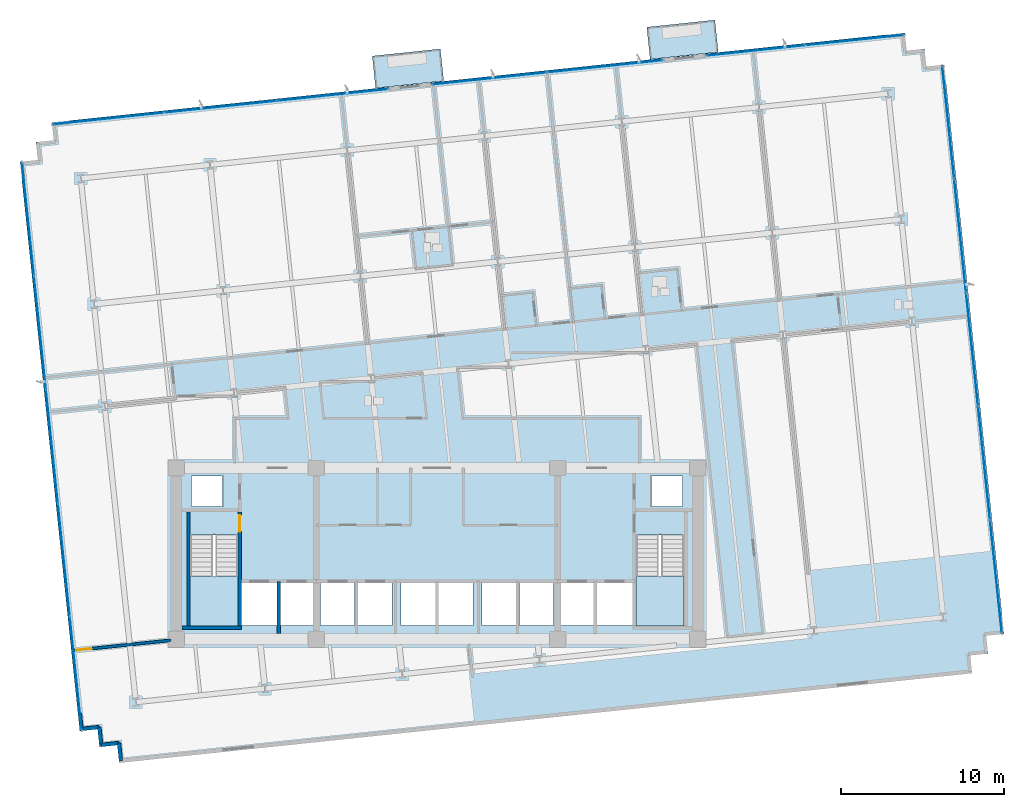
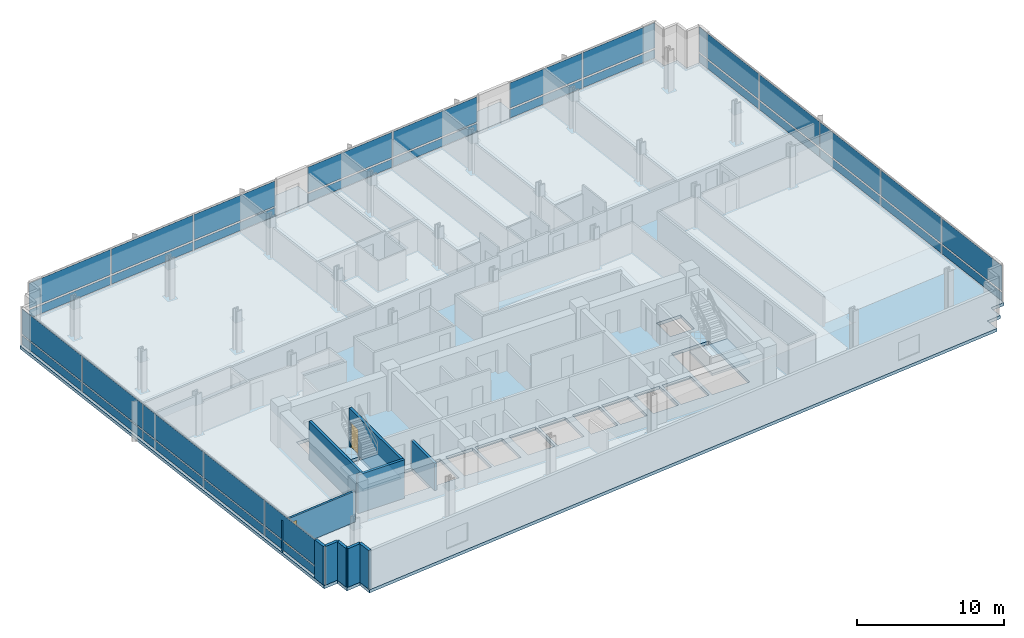
# One storey, part 9 of 17: 34 plates, 10 walls, 5 slabs, 2 doors, 2 openings, 7 elements without a shape of their own.
"""IFC4 building model written with IfcOpenShell, lengths in metres."""

from ifc_helpers import new_model, si_unit, direction, frame, frame_2d, origin, origin_2d, place, context, subcontext, project, spatial, polyline, rectangle, outline, extrude, material, layer, layer_set, type_object, element, fill, aggregate, save


model = new_model("IFC4")

# Units and contexts
model_context = context("Model", 3, precision=1e-05, world=origin(), true_north=direction((0.0, 1.0)))
body_context = subcontext(model_context, "Body", "Model", "MODEL_VIEW")
ifc_project = project(units=[si_unit("LENGTHUNIT", "METRE"), si_unit("AREAUNIT", "SQUARE_METRE"), si_unit("VOLUMEUNIT", "CUBIC_METRE"), si_unit("PLANEANGLEUNIT", "RADIAN"), si_unit("MASSUNIT", "GRAM", prefix="KILO")], contexts=[model_context])

# Site, building, storey
site_placement = place(None, origin())
site = spatial("IfcSite", under=ifc_project, at=site_placement, CompositionType="ELEMENT")
building_placement = place(site_placement, origin())
building = spatial("IfcBuilding", under=site, at=building_placement, Name="Solmavex Isthmus Hotel", CompositionType="ELEMENT")
storey_placement = place(building_placement, frame((0.0, 0.0, 93.89990234375)))
storey = spatial("IfcBuildingStorey", under=building, at=storey_placement, Name="L25", CompositionType="ELEMENT", Elevation=93.89990234375)

# Curtain wall, plates
ifc_material_1 = material(Name="Aluminium alloy 6063-T6", Category="aluminium")
curtain_wall_type = type_object("IfcCurtainWallType", Name="CW-SYS-03", PredefinedType="NOTDEFINED", material=ifc_material_1)
curtain_wall_1_placement = place(storey_placement, origin())
curtain_wall_1 = element("IfcCurtainWall", 1, at=curtain_wall_1_placement, inside=storey, type_object=curtain_wall_type, Name="Stick Curtain Wall CWL-L25-N1", PredefinedType="NOTDEFINED")
ifc_material_2 = material(Name="Clear low-E laminated glass", Category="glass")
ifc_layer_1 = layer(ifc_material_2, 0.030029296875)
ifc_layer_set_1 = layer_set([ifc_layer_1], Name="Clear low-E laminated glass")
plate_type = type_object("IfcPlateType", Name="CW-SYS-03-PNL", PredefinedType="CURTAIN_PANEL", material=ifc_layer_set_1)
plate_1_placement = place(storey_placement, frame((-20.148193359375, 18.93701171875, 0.14013671875), z_axis=(0.0, 0.0, 1.0), x_axis=(0.994521910366, 0.10452832057, 0.0)))
plate_1 = element("IfcPlate", 2, at=plate_1_placement, type_object=plate_type, Name="CW-03 panel 1.1", PredefinedType="CURTAIN_PANEL", context=body_context, shape_type="SweptSolid", body=[
    extrude(rectangle(XDim=6.8173828125, YDim=0.030029296875, at=origin_2d()), origin(), (0.0, 0.0, 1.0), 0.68994140625),
])
plate_2_placement = place(storey_placement, frame((-20.148193359375, 18.93701171875, 0.969970703125), z_axis=(0.0, 0.0, 1.0), x_axis=(0.994521910366, 0.10452832057, 0.0)))
plate_2 = element("IfcPlate", 3, at=plate_2_placement, type_object=plate_type, Name="CW-03 panel 1.2", PredefinedType="CURTAIN_PANEL", context=body_context, shape_type="SweptSolid", body=[
    extrude(rectangle(XDim=6.8173828125, YDim=0.030029296875, at=origin_2d()), origin(), (0.0, 0.0, 1.0), 2.080078125),
])
plate_3_placement = place(storey_placement, frame((-13.28125, 19.65869140625, 0.14013671875), z_axis=(0.0, 0.0, 1.0), x_axis=(0.994521910366, 0.10452832057, 0.0)))
plate_3 = element("IfcPlate", 4, at=plate_3_placement, type_object=plate_type, Name="CW-03 panel 2.1", PredefinedType="CURTAIN_PANEL", context=body_context, shape_type="SweptSolid", body=[
    extrude(rectangle(XDim=6.852294921875, YDim=0.030029296875, at=origin_2d()), origin(), (0.0, 0.0, 1.0), 0.68994140625),
])
plate_4_placement = place(storey_placement, frame((-13.28125, 19.65869140625, 0.969970703125), z_axis=(0.0, 0.0, 1.0), x_axis=(0.994521910366, 0.10452832057, 0.0)))
plate_4 = element("IfcPlate", 5, at=plate_4_placement, type_object=plate_type, Name="CW-03 panel 2.2", PredefinedType="CURTAIN_PANEL", context=body_context, shape_type="SweptSolid", body=[
    extrude(rectangle(XDim=6.852294921875, YDim=0.030029296875, at=origin_2d()), origin(), (0.0, 0.0, 1.0), 2.080078125),
])
plate_5_placement = place(storey_placement, frame((-6.414306640625, 20.38037109375, 0.14013671875), z_axis=(0.0, 0.0, 1.0), x_axis=(0.994521910366, 0.10452832057, 0.0)))
plate_5 = element("IfcPlate", 6, at=plate_5_placement, type_object=plate_type, Name="CW-03 panel 3.1", PredefinedType="CURTAIN_PANEL", context=body_context, shape_type="SweptSolid", body=[
    extrude(rectangle(XDim=6.8173828125, YDim=0.030029296875, at=origin_2d()), origin(), (0.0, 0.0, 1.0), 0.68994140625),
])
plate_6_placement = place(storey_placement, frame((-6.414306640625, 20.38037109375, 0.969970703125), z_axis=(0.0, 0.0, 1.0), x_axis=(0.994521910366, 0.10452832057, 0.0)))
plate_6 = element("IfcPlate", 7, at=plate_6_placement, type_object=plate_type, Name="CW-03 panel 3.2", PredefinedType="CURTAIN_PANEL", context=body_context, shape_type="SweptSolid", body=[
    extrude(rectangle(XDim=6.8173828125, YDim=0.030029296875, at=origin_2d()), origin(), (0.0, 0.0, 1.0), 2.080078125),
])
aggregate(curtain_wall_1, [plate_1, plate_2, plate_3, plate_4, plate_5, plate_6])

curtain_wall_2_placement = place(storey_placement, origin())
curtain_wall_2 = element("IfcCurtainWall", 8, at=curtain_wall_2_placement, inside=storey, type_object=curtain_wall_type, Name="Stick Curtain Wall CWL-L25-N2", PredefinedType="NOTDEFINED")
plate_7_placement = place(storey_placement, frame((3.2119140625, 21.392333984375, 0.14013671875), z_axis=(0.0, 0.0, 1.0), x_axis=(0.994521838546, 0.10452900389, 0.0)))
plate_7 = element("IfcPlate", 9, at=plate_7_placement, type_object=plate_type, Name="CW-03 panel 1.1", PredefinedType="CURTAIN_PANEL", context=body_context, shape_type="SweptSolid", body=[
    extrude(rectangle(XDim=7.06103515625, YDim=0.030029296875, at=origin_2d()), origin(), (0.0, 0.0, 1.0), 0.68994140625),
])
plate_8_placement = place(storey_placement, frame((3.2119140625, 21.392333984375, 0.969970703125), z_axis=(0.0, 0.0, 1.0), x_axis=(0.994521838546, 0.10452900389, 0.0)))
plate_8 = element("IfcPlate", 10, at=plate_8_placement, type_object=plate_type, Name="CW-03 panel 1.2", PredefinedType="CURTAIN_PANEL", context=body_context, shape_type="SweptSolid", body=[
    extrude(rectangle(XDim=7.06103515625, YDim=0.030029296875, at=origin_2d()), origin(), (0.0, 0.0, 1.0), 2.080078125),
])
plate_9_placement = place(storey_placement, frame((10.303955078125, 22.1376953125, 0.14013671875), z_axis=(0.0, 0.0, 1.0), x_axis=(0.994521838546, 0.10452900389, 0.0)))
plate_9 = element("IfcPlate", 11, at=plate_9_placement, type_object=plate_type, Name="CW-03 panel 2.1", PredefinedType="CURTAIN_PANEL", context=body_context, shape_type="SweptSolid", body=[
    extrude(rectangle(XDim=7.06103515625, YDim=0.030029296875, at=origin_2d()), origin(), (0.0, 0.0, 1.0), 0.68994140625),
])
plate_10_placement = place(storey_placement, frame((10.303955078125, 22.1376953125, 0.969970703125), z_axis=(0.0, 0.0, 1.0), x_axis=(0.994521838546, 0.10452900389, 0.0)))
plate_10 = element("IfcPlate", 12, at=plate_10_placement, type_object=plate_type, Name="CW-03 panel 2.2", PredefinedType="CURTAIN_PANEL", context=body_context, shape_type="SweptSolid", body=[
    extrude(rectangle(XDim=7.06103515625, YDim=0.030029296875, at=origin_2d()), origin(), (0.0, 0.0, 1.0), 2.080078125),
])
aggregate(curtain_wall_2, [plate_7, plate_8, plate_9, plate_10])

curtain_wall_3_placement = place(storey_placement, origin())
curtain_wall_3 = element("IfcCurtainWall", 13, at=curtain_wall_3_placement, inside=storey, type_object=curtain_wall_type, Name="Stick Curtain Wall CWL-L25-N3", PredefinedType="NOTDEFINED")
plate_11_placement = place(storey_placement, frame((19.546142578125, 23.109130859375, 0.14013671875), z_axis=(0.0, 0.0, 1.0), x_axis=(0.994521931062, 0.104528123665, 0.0)))
plate_11 = element("IfcPlate", 14, at=plate_11_placement, type_object=plate_type, Name="CW-03 panel 1.1", PredefinedType="CURTAIN_PANEL", context=body_context, shape_type="SweptSolid", body=[
    extrude(rectangle(XDim=6.04541015625, YDim=0.030029296875, at=origin_2d()), origin(), (0.0, 0.0, 1.0), 0.68994140625),
])
plate_12_placement = place(storey_placement, frame((19.546142578125, 23.109130859375, 0.969970703125), z_axis=(0.0, 0.0, 1.0), x_axis=(0.994521931062, 0.104528123665, 0.0)))
plate_12 = element("IfcPlate", 15, at=plate_12_placement, type_object=plate_type, Name="CW-03 panel 1.2", PredefinedType="CURTAIN_PANEL", context=body_context, shape_type="SweptSolid", body=[
    extrude(rectangle(XDim=6.04541015625, YDim=0.030029296875, at=origin_2d()), origin(), (0.0, 0.0, 1.0), 2.080078125),
])
plate_13_placement = place(storey_placement, frame((25.628173828125, 23.748291015625, 0.14013671875), z_axis=(0.0, 0.0, 1.0), x_axis=(0.994521931062, 0.104528123665, 0.0)))
plate_13 = element("IfcPlate", 16, at=plate_13_placement, type_object=plate_type, Name="CW-03 panel 2.1", PredefinedType="CURTAIN_PANEL", context=body_context, shape_type="SweptSolid", body=[
    extrude(rectangle(XDim=6.04541015625, YDim=0.030029296875, at=origin_2d()), origin(), (0.0, 0.0, 1.0), 0.68994140625),
])
plate_14_placement = place(storey_placement, frame((25.628173828125, 23.748291015625, 0.969970703125), z_axis=(0.0, 0.0, 1.0), x_axis=(0.994521931062, 0.104528123665, 0.0)))
plate_14 = element("IfcPlate", 17, at=plate_14_placement, type_object=plate_type, Name="CW-03 panel 2.2", PredefinedType="CURTAIN_PANEL", context=body_context, shape_type="SweptSolid", body=[
    extrude(rectangle(XDim=6.04541015625, YDim=0.030029296875, at=origin_2d()), origin(), (0.0, 0.0, 1.0), 2.080078125),
])
aggregate(curtain_wall_3, [plate_11, plate_12, plate_13, plate_14])

curtain_wall_4_placement = place(storey_placement, origin())
curtain_wall_4 = element("IfcCurtainWall", 18, at=curtain_wall_4_placement, inside=storey, type_object=curtain_wall_type, Name="Stick Curtain Wall CWL-L25-W1", PredefinedType="NOTDEFINED")
plate_15_placement = place(storey_placement, frame((-22.15869140625, -15.1123046875, 0.14013671875), z_axis=(0.0, 0.0, 1.0), x_axis=(-0.104528485381, 0.994521893044, 0.0)))
plate_15 = element("IfcPlate", 19, at=plate_15_placement, type_object=plate_type, Name="CW-03 panel 1.1", PredefinedType="CURTAIN_PANEL", context=body_context, shape_type="SweptSolid", body=[
    extrude(rectangle(XDim=6.9150390625, YDim=0.030029296875, at=origin_2d()), origin(), (0.0, 0.0, 1.0), 0.68994140625),
])
plate_16_placement = place(storey_placement, frame((-22.15869140625, -15.1123046875, 0.969970703125), z_axis=(0.0, 0.0, 1.0), x_axis=(-0.104528485381, 0.994521893044, 0.0)))
plate_16 = element("IfcPlate", 20, at=plate_16_placement, type_object=plate_type, Name="CW-03 panel 1.2", PredefinedType="CURTAIN_PANEL", context=body_context, shape_type="SweptSolid", body=[
    extrude(rectangle(XDim=6.9150390625, YDim=0.030029296875, at=origin_2d()), origin(), (0.0, 0.0, 1.0), 2.080078125),
])
plate_17_placement = place(storey_placement, frame((-22.890625, -8.14794921875, 0.14013671875), z_axis=(0.0, 0.0, 1.0), x_axis=(-0.104528485381, 0.994521893044, 0.0)))
plate_17 = element("IfcPlate", 21, at=plate_17_placement, type_object=plate_type, Name="CW-03 panel 2.1", PredefinedType="CURTAIN_PANEL", context=body_context, shape_type="SweptSolid", body=[
    extrude(rectangle(XDim=6.949951171875, YDim=0.030029296875, at=origin_2d()), origin(), (0.0, 0.0, 1.0), 0.68994140625),
])
plate_18_placement = place(storey_placement, frame((-22.890625, -8.14794921875, 0.969970703125), z_axis=(0.0, 0.0, 1.0), x_axis=(-0.104528485381, 0.994521893044, 0.0)))
plate_18 = element("IfcPlate", 22, at=plate_18_placement, type_object=plate_type, Name="CW-03 panel 2.2", PredefinedType="CURTAIN_PANEL", context=body_context, shape_type="SweptSolid", body=[
    extrude(rectangle(XDim=6.949951171875, YDim=0.030029296875, at=origin_2d()), origin(), (0.0, 0.0, 1.0), 2.080078125),
])
plate_19_placement = place(storey_placement, frame((-23.62451171875, -1.16650390625, 0.14013671875), z_axis=(0.0, 0.0, 1.0), x_axis=(-0.104528485381, 0.994521893044, 0.0)))
plate_19 = element("IfcPlate", 23, at=plate_19_placement, type_object=plate_type, Name="CW-03 panel 3.1", PredefinedType="CURTAIN_PANEL", context=body_context, shape_type="SweptSolid", body=[
    extrude(rectangle(XDim=6.949951171875, YDim=0.030029296875, at=origin_2d()), origin(), (0.0, 0.0, 1.0), 0.68994140625),
])
plate_20_placement = place(storey_placement, frame((-23.62451171875, -1.16650390625, 0.969970703125), z_axis=(0.0, 0.0, 1.0), x_axis=(-0.104528485381, 0.994521893044, 0.0)))
plate_20 = element("IfcPlate", 24, at=plate_20_placement, type_object=plate_type, Name="CW-03 panel 3.2", PredefinedType="CURTAIN_PANEL", context=body_context, shape_type="SweptSolid", body=[
    extrude(rectangle(XDim=6.949951171875, YDim=0.030029296875, at=origin_2d()), origin(), (0.0, 0.0, 1.0), 2.080078125),
])
plate_21_placement = place(storey_placement, frame((-24.3583984375, 5.81494140625, 0.14013671875), z_axis=(0.0, 0.0, 1.0), x_axis=(-0.104528485381, 0.994521893044, 0.0)))
plate_21 = element("IfcPlate", 25, at=plate_21_placement, type_object=plate_type, Name="CW-03 panel 4.1", PredefinedType="CURTAIN_PANEL", context=body_context, shape_type="SweptSolid", body=[
    extrude(rectangle(XDim=6.949951171875, YDim=0.030029296875, at=origin_2d()), origin(), (0.0, 0.0, 1.0), 0.68994140625),
])
plate_22_placement = place(storey_placement, frame((-24.3583984375, 5.81494140625, 0.969970703125), z_axis=(0.0, 0.0, 1.0), x_axis=(-0.104528485381, 0.994521893044, 0.0)))
plate_22 = element("IfcPlate", 26, at=plate_22_placement, type_object=plate_type, Name="CW-03 panel 4.2", PredefinedType="CURTAIN_PANEL", context=body_context, shape_type="SweptSolid", body=[
    extrude(rectangle(XDim=6.949951171875, YDim=0.030029296875, at=origin_2d()), origin(), (0.0, 0.0, 1.0), 2.080078125),
])
plate_23_placement = place(storey_placement, frame((-25.09033203125, 12.779052734375, 0.14013671875), z_axis=(0.0, 0.0, 1.0), x_axis=(-0.104528485381, 0.994521893044, 0.0)))
plate_23 = element("IfcPlate", 27, at=plate_23_placement, type_object=plate_type, Name="CW-03 panel 5.1", PredefinedType="CURTAIN_PANEL", context=body_context, shape_type="SweptSolid", body=[
    extrude(rectangle(XDim=6.9150390625, YDim=0.030029296875, at=origin_2d()), origin(), (0.0, 0.0, 1.0), 0.68994140625),
])
plate_24_placement = place(storey_placement, frame((-25.09033203125, 12.779052734375, 0.969970703125), z_axis=(0.0, 0.0, 1.0), x_axis=(-0.104528485381, 0.994521893044, 0.0)))
plate_24 = element("IfcPlate", 28, at=plate_24_placement, type_object=plate_type, Name="CW-03 panel 5.2", PredefinedType="CURTAIN_PANEL", context=body_context, shape_type="SweptSolid", body=[
    extrude(rectangle(XDim=6.9150390625, YDim=0.030029296875, at=origin_2d()), origin(), (0.0, 0.0, 1.0), 2.080078125),
])
aggregate(curtain_wall_4, [plate_15, plate_16, plate_17, plate_18, plate_19, plate_20, plate_21, plate_22, plate_23, plate_24])

curtain_wall_5_placement = place(storey_placement, origin())
curtain_wall_5 = element("IfcCurtainWall", 29, at=curtain_wall_5_placement, inside=storey, type_object=curtain_wall_type, Name="Stick Curtain Wall CWL-L25-E1", PredefinedType="NOTDEFINED")
plate_25_placement = place(storey_placement, frame((34.290283203125, -9.17919921875, 0.14013671875), z_axis=(0.0, 0.0, 1.0), x_axis=(-0.104528485381, 0.994521893044, 0.0)))
plate_25 = element("IfcPlate", 30, at=plate_25_placement, type_object=plate_type, Name="CW-03 panel 1.1", PredefinedType="CURTAIN_PANEL", context=body_context, shape_type="SweptSolid", body=[
    extrude(rectangle(XDim=6.9150390625, YDim=0.030029296875, at=origin_2d()), origin(), (0.0, 0.0, 1.0), 0.68994140625),
])
plate_26_placement = place(storey_placement, frame((34.290283203125, -9.17919921875, 0.969970703125), z_axis=(0.0, 0.0, 1.0), x_axis=(-0.104528485381, 0.994521893044, 0.0)))
plate_26 = element("IfcPlate", 31, at=plate_26_placement, type_object=plate_type, Name="CW-03 panel 1.2", PredefinedType="CURTAIN_PANEL", context=body_context, shape_type="SweptSolid", body=[
    extrude(rectangle(XDim=6.9150390625, YDim=0.030029296875, at=origin_2d()), origin(), (0.0, 0.0, 1.0), 2.080078125),
])
plate_27_placement = place(storey_placement, frame((33.558349609375, -2.215087890625, 0.14013671875), z_axis=(0.0, 0.0, 1.0), x_axis=(-0.104528485381, 0.994521893044, 0.0)))
plate_27 = element("IfcPlate", 32, at=plate_27_placement, type_object=plate_type, Name="CW-03 panel 2.1", PredefinedType="CURTAIN_PANEL", context=body_context, shape_type="SweptSolid", body=[
    extrude(rectangle(XDim=6.949951171875, YDim=0.030029296875, at=origin_2d()), origin(), (0.0, 0.0, 1.0), 0.68994140625),
])
plate_28_placement = place(storey_placement, frame((33.558349609375, -2.215087890625, 0.969970703125), z_axis=(0.0, 0.0, 1.0), x_axis=(-0.104528485381, 0.994521893044, 0.0)))
plate_28 = element("IfcPlate", 33, at=plate_28_placement, type_object=plate_type, Name="CW-03 panel 2.2", PredefinedType="CURTAIN_PANEL", context=body_context, shape_type="SweptSolid", body=[
    extrude(rectangle(XDim=6.949951171875, YDim=0.030029296875, at=origin_2d()), origin(), (0.0, 0.0, 1.0), 2.080078125),
])
plate_29_placement = place(storey_placement, frame((32.824462890625, 4.7666015625, 0.14013671875), z_axis=(0.0, 0.0, 1.0), x_axis=(-0.104528485381, 0.994521893044, 0.0)))
plate_29 = element("IfcPlate", 34, at=plate_29_placement, type_object=plate_type, Name="CW-03 panel 3.1", PredefinedType="CURTAIN_PANEL", context=body_context, shape_type="SweptSolid", body=[
    extrude(rectangle(XDim=6.949951171875, YDim=0.030029296875, at=origin_2d()), origin(), (0.0, 0.0, 1.0), 0.68994140625),
])
plate_30_placement = place(storey_placement, frame((32.824462890625, 4.7666015625, 0.969970703125), z_axis=(0.0, 0.0, 1.0), x_axis=(-0.104528485381, 0.994521893044, 0.0)))
plate_30 = element("IfcPlate", 35, at=plate_30_placement, type_object=plate_type, Name="CW-03 panel 3.2", PredefinedType="CURTAIN_PANEL", context=body_context, shape_type="SweptSolid", body=[
    extrude(rectangle(XDim=6.949951171875, YDim=0.030029296875, at=origin_2d()), origin(), (0.0, 0.0, 1.0), 2.080078125),
])
plate_31_placement = place(storey_placement, frame((32.0908203125, 11.748046875, 0.14013671875), z_axis=(0.0, 0.0, 1.0), x_axis=(-0.104528485381, 0.994521893044, 0.0)))
plate_31 = element("IfcPlate", 36, at=plate_31_placement, type_object=plate_type, Name="CW-03 panel 4.1", PredefinedType="CURTAIN_PANEL", context=body_context, shape_type="SweptSolid", body=[
    extrude(rectangle(XDim=6.949951171875, YDim=0.030029296875, at=origin_2d()), origin(), (0.0, 0.0, 1.0), 0.68994140625),
])
plate_32_placement = place(storey_placement, frame((32.0908203125, 11.748046875, 0.969970703125), z_axis=(0.0, 0.0, 1.0), x_axis=(-0.104528485381, 0.994521893044, 0.0)))
plate_32 = element("IfcPlate", 37, at=plate_32_placement, type_object=plate_type, Name="CW-03 panel 4.2", PredefinedType="CURTAIN_PANEL", context=body_context, shape_type="SweptSolid", body=[
    extrude(rectangle(XDim=6.949951171875, YDim=0.030029296875, at=origin_2d()), origin(), (0.0, 0.0, 1.0), 2.080078125),
])
plate_33_placement = place(storey_placement, frame((31.35888671875, 18.712158203125, 0.14013671875), z_axis=(0.0, 0.0, 1.0), x_axis=(-0.104528485381, 0.994521893044, 0.0)))
plate_33 = element("IfcPlate", 38, at=plate_33_placement, type_object=plate_type, Name="CW-03 panel 5.1", PredefinedType="CURTAIN_PANEL", context=body_context, shape_type="SweptSolid", body=[
    extrude(rectangle(XDim=6.9150390625, YDim=0.030029296875, at=origin_2d()), origin(), (0.0, 0.0, 1.0), 0.68994140625),
])
plate_34_placement = place(storey_placement, frame((31.35888671875, 18.712158203125, 0.969970703125), z_axis=(0.0, 0.0, 1.0), x_axis=(-0.104528485381, 0.994521893044, 0.0)))
plate_34 = element("IfcPlate", 39, at=plate_34_placement, type_object=plate_type, Name="CW-03 panel 5.2", PredefinedType="CURTAIN_PANEL", context=body_context, shape_type="SweptSolid", body=[
    extrude(rectangle(XDim=6.9150390625, YDim=0.030029296875, at=origin_2d()), origin(), (0.0, 0.0, 1.0), 2.080078125),
])
aggregate(curtain_wall_5, [plate_25, plate_26, plate_27, plate_28, plate_29, plate_30, plate_31, plate_32, plate_33, plate_34])

# Slabs
ifc_material_3 = material(Name="Concrete C40/50", Category="concrete")
ifc_layer_2 = layer(ifc_material_3, 0.239990234375)
ifc_layer_set_2 = layer_set([ifc_layer_2], Name="Concrete C40/50")
slab_type_1 = type_object("IfcSlabType", Name="SLAB-BALC-240", PredefinedType="FLOOR", material=ifc_layer_set_2)
slab_1_placement = place(storey_placement, frame((0.0, 0.0, -0.239990234375)))
element("IfcSlab", 40, at=slab_1_placement, inside=storey, type_object=slab_type_1, Name="Tree-Planter Balcony Slab L25-B1", PredefinedType="FLOOR", context=body_context, shape_type="SweptSolid", body=[
    extrude(outline(polyline([(-3.764404296875, 20.794677734375), (0.41259765625, 21.23388671875), (0.205078125, 23.2080078125), (-3.9716796875, 22.768798828125), (-3.764404296875, 20.794677734375)])), origin(), (0.0, 0.0, 1.0), 0.239990234375),
])
slab_2_placement = place(storey_placement, frame((0.0, 0.0, -0.239990234375)))
element("IfcSlab", 41, at=slab_2_placement, inside=storey, type_object=slab_type_1, Name="Tree-Planter Balcony Slab L25-B2", PredefinedType="FLOOR", context=body_context, shape_type="SweptSolid", body=[
    extrude(outline(polyline([(13.074951171875, 22.564697265625), (17.251953125, 23.003662109375), (17.04443359375, 24.977783203125), (12.867431640625, 24.538818359375), (13.074951171875, 22.564697265625)])), origin(), (0.0, 0.0, 1.0), 0.239990234375),
])
ifc_layer_3 = layer(ifc_material_3, 0.260009765625)
ifc_layer_set_3 = layer_set([ifc_layer_3], Name="Concrete C40/50")
slab_type_2 = type_object("IfcSlabType", Name="SLAB-TYP-260", PredefinedType="FLOOR", material=ifc_layer_set_3)
slab_3_placement = place(storey_placement, frame((0.0, 0.0, -0.260009765625)))
element("IfcSlab", 42, at=slab_3_placement, inside=storey, type_object=slab_type_2, Name="Tower Structural Floor Slab L25", PredefinedType="FLOOR", context=body_context, shape_type="SweptSolid", body=[
    extrude(outline(polyline([(-18.3974609375, -20.475830078125), (31.726318359375, -15.207763671875), (32.8203125, -15.0927734375), (32.705322265625, -13.998779296875), (33.79931640625, -13.8837890625), (33.684326171875, -12.789794921875), (34.7783203125, -12.6748046875), (34.663330078125, -11.580810546875), (31.224365234375, 21.138916015625), (31.109375, 22.23291015625), (30.015380859375, 22.117919921875), (29.900390625, 23.2119140625), (28.806396484375, 23.096923828125), (28.69140625, 24.19091796875), (27.597412109375, 24.075927734375), (-22.5263671875, 18.8076171875), (-23.620361328125, 18.692626953125), (-23.50537109375, 17.5986328125), (-24.599365234375, 17.483642578125), (-24.484375, 16.389892578125), (-25.578369140625, 16.27490234375), (-25.46337890625, 15.180908203125), (-22.0244140625, -17.5390625), (-21.909423828125, -18.6328125), (-20.8154296875, -18.517822265625), (-20.700439453125, -19.61181640625), (-19.6064453125, -19.496826171875), (-19.491455078125, -20.5908203125), (-18.3974609375, -20.475830078125)]), holes=[polyline([(-15.14990234375, -6.617919921875), (-15.14990234375, -12.199951171875), (-12.199951171875, -12.199951171875), (-12.199951171875, -6.617919921875), (-15.14990234375, -6.617919921875)]), polyline([(12.199951171875, -6.617919921875), (12.199951171875, -12.199951171875), (15.14990234375, -12.199951171875), (15.14990234375, -6.617919921875), (12.199951171875, -6.617919921875)]), polyline([(-12.0, -12.14990234375), (-9.800048828125, -12.14990234375), (-9.800048828125, -9.550048828125), (-12.0, -9.550048828125), (-12.0, -12.14990234375)]), polyline([(9.800048828125, -12.14990234375), (12.0, -12.14990234375), (12.0, -9.550048828125), (9.800048828125, -9.550048828125), (9.800048828125, -12.14990234375)]), polyline([(-9.60009765625, -12.14990234375), (-7.60009765625, -12.14990234375), (-7.60009765625, -9.550048828125), (-9.60009765625, -9.550048828125), (-9.60009765625, -12.14990234375)]), polyline([(7.60009765625, -12.14990234375), (9.60009765625, -12.14990234375), (9.60009765625, -9.550048828125), (7.60009765625, -9.550048828125), (7.60009765625, -12.14990234375)]), polyline([(-7.14990234375, -12.14990234375), (-5.050048828125, -12.14990234375), (-5.050048828125, -9.550048828125), (-7.14990234375, -9.550048828125), (-7.14990234375, -12.14990234375)]), polyline([(-4.85009765625, -12.14990234375), (-2.75, -12.14990234375), (-2.75, -9.550048828125), (-4.85009765625, -9.550048828125), (-4.85009765625, -12.14990234375)]), polyline([(-2.199951171875, -12.14990234375), (-0.10009765625, -12.14990234375), (-0.10009765625, -9.550048828125), (-2.199951171875, -9.550048828125), (-2.199951171875, -12.14990234375)]), polyline([(0.10009765625, -12.14990234375), (2.199951171875, -12.14990234375), (2.199951171875, -9.550048828125), (0.10009765625, -9.550048828125), (0.10009765625, -12.14990234375)]), polyline([(2.75, -12.14990234375), (4.85009765625, -12.14990234375), (4.85009765625, -9.550048828125), (2.75, -9.550048828125), (2.75, -12.14990234375)]), polyline([(5.050048828125, -12.14990234375), (7.14990234375, -12.14990234375), (7.14990234375, -9.550048828125), (5.050048828125, -9.550048828125), (5.050048828125, -12.14990234375)]), polyline([(-15.050048828125, -4.85009765625), (-13.14990234375, -4.85009765625), (-13.14990234375, -3.0), (-15.050048828125, -3.0), (-15.050048828125, -4.85009765625)]), polyline([(13.14990234375, -4.85009765625), (15.050048828125, -4.85009765625), (15.050048828125, -3.0), (13.14990234375, -3.0), (13.14990234375, -4.85009765625)])]), origin(), (0.0, 0.0, 1.0), 0.260009765625),
])

# Stair, slab
stair_type_1 = type_object("IfcStairType", Name="STR-ST-1", PredefinedType="HALF_TURN_STAIR", material=ifc_material_3)
stair_1_placement = place(storey_placement, origin())
stair_1 = element("IfcStair", 43, at=stair_1_placement, inside=storey, type_object=stair_type_1, Name="L25 Protected Exit Stair ST-1", PredefinedType="HALF_TURN_STAIR")
ifc_layer_4 = layer(ifc_material_3, 0.219970703125)
ifc_layer_set_4 = layer_set([ifc_layer_4], Name="Concrete C40/50")
slab_type_3 = type_object("IfcSlabType", Name="SLD-ST-1", PredefinedType="LANDING", material=ifc_layer_set_4)
slab_4_placement = place(storey_placement, frame((0.0, 0.0, 1.525146484375)))
slab_4 = element("IfcSlab", 44, at=slab_4_placement, type_object=slab_type_3, Name="ST-1 landing 1", PredefinedType="LANDING", context=body_context, shape_type="SweptSolid", body=[
    extrude(outline(polyline([(-15.14990234375, -9.1201171875), (-15.14990234375, -12.199951171875), (-12.199951171875, -12.199951171875), (-12.199951171875, -9.1201171875), (-15.14990234375, -9.1201171875)])), origin(), (0.0, 0.0, 1.0), 0.199951171875),
])
aggregate(stair_1, [slab_4])

stair_type_2 = type_object("IfcStairType", Name="STR-ST-2", PredefinedType="HALF_TURN_STAIR", material=ifc_material_3)
stair_2_placement = place(storey_placement, origin())
stair_2 = element("IfcStair", 45, at=stair_2_placement, inside=storey, type_object=stair_type_2, Name="L25 Protected Exit Stair ST-2", PredefinedType="HALF_TURN_STAIR")
ifc_layer_5 = layer(ifc_material_3, 0.219970703125)
ifc_layer_set_5 = layer_set([ifc_layer_5], Name="Concrete C40/50")
slab_type_4 = type_object("IfcSlabType", Name="SLD-ST-2", PredefinedType="LANDING", material=ifc_layer_set_5)
slab_5_placement = place(storey_placement, frame((0.0, 0.0, 1.525146484375)))
slab_5 = element("IfcSlab", 46, at=slab_5_placement, type_object=slab_type_4, Name="ST-2 landing 1", PredefinedType="LANDING", context=body_context, shape_type="SweptSolid", body=[
    extrude(outline(polyline([(12.199951171875, -9.1201171875), (12.199951171875, -12.199951171875), (15.14990234375, -12.199951171875), (15.14990234375, -9.1201171875), (12.199951171875, -9.1201171875)])), origin(), (0.0, 0.0, 1.0), 0.199951171875),
])
aggregate(stair_2, [slab_5])

# Walls
ifc_material_4 = material(Name="Precast Concrete C40/50", Category="concrete")
ifc_layer_6 = layer(ifc_material_4, 0.25)
ifc_layer_set_6 = layer_set([ifc_layer_6], Name="Precast Concrete C40/50")
wall_type_1 = type_object("IfcWallType", Name="EW-TWR-250", PredefinedType="STANDARD", material=ifc_layer_set_6)
for number, where, z_axis, x_axis, name in (
    (47, (-19.3935546875, -20.469970703125, 0.0), (0.0, 0.0, 1.0), (-0.104534592565, 0.994521251134, 0.0), "Serrated Corner Facade Panel L25-01"),
    (48, (-19.508544921875, -19.3759765625, 0.0), (0.0, 0.0, 1.0), (-0.994521251134, -0.104534592565, 0.0), "Serrated Corner Facade Panel L25-02"),
    (49, (-20.6025390625, -19.490966796875, 0.0), (0.0, 0.0, 1.0), (-0.104534592565, 0.994521251134, 0.0), "Serrated Corner Facade Panel L25-03"),
    (50, (-20.717529296875, -18.39697265625, 0.0), (0.0, 0.0, 1.0), (-0.994521251134, -0.104534592565, 0.0), "Serrated Corner Facade Panel L25-04"),
):
    element("IfcWall", number, at=place(storey_placement, frame(where, z_axis=z_axis, x_axis=x_axis)), inside=storey, type_object=wall_type_1, Name=name, PredefinedType="STANDARD", context=body_context, shape_type="SweptSolid", body=[
        extrude(rectangle(XDim=1.10009765625, YDim=0.219970703125, at=frame_2d((0.550048828125, 0.0))), origin(), (0.0, 0.0, 1.0), 3.190185546875),
    ])
wall_1_placement = place(storey_placement, frame((-21.8115234375, -18.511962890625, 0.0), z_axis=(0.0, 0.0, 1.0), x_axis=(-0.104556418955, 0.99451895671, 0.0)))
element("IfcWall", 51, at=wall_1_placement, inside=storey, type_object=wall_type_1, Name="Serrated Corner Facade Panel L25-05", PredefinedType="STANDARD", context=body_context, shape_type="SweptSolid", body=[
    extrude(rectangle(XDim=0.989990234375, YDim=0.219970703125, at=frame_2d((0.4951171875, 0.0))), origin(), (0.0, 0.0, 1.0), 3.190185546875),
])

# Wall, opening, door
ifc_material_5 = material(Name="Gypsum plasterboard lining", Category="gypsum")
ifc_layer_7 = layer(ifc_material_5, 0.159912109375)
ifc_layer_set_7 = layer_set([ifc_layer_7], Name="Gypsum plasterboard lining")
wall_type_2 = type_object("IfcWallType", Name="IW-COMP-160", PredefinedType="PARTITIONING", material=ifc_layer_set_7)
wall_2_placement = place(storey_placement, frame((-16.310302734375, -13.067138671875, 0.0), z_axis=(0.0, 0.0, 1.0), x_axis=(-0.994521529203, -0.104531947038, 0.0)))
wall_2 = element("IfcWall", 52, at=wall_2_placement, inside=storey, type_object=wall_type_2, Name="Interior Partition Wall W-L25-P070", PredefinedType="PARTITIONING", context=body_context, shape_type="SweptSolid", body=[
    extrude(rectangle(XDim=6.070068359375, YDim=0.159912109375, at=frame_2d((3.03515625, 0.0))), origin(), (0.0, 0.0, 1.0), 2.55322265625),
])
opening_1_placement = place(wall_2_placement, frame((4.910400390625, 0.0, 0.0)))
opening_1 = element("IfcOpeningElement", 53, at=opening_1_placement, cuts=wall_2, Name="Opening ID-C095", PredefinedType="OPENING", context=body_context, shape_type="SweptSolid", body=[
    extrude(rectangle(XDim=0.949951171875, YDim=2.14990234375, at=frame_2d((0.47509765625, 1.074951171875))), frame((0.0, 0.08984375, 0.0), z_axis=(0.0, -1.0, 0.0), x_axis=(1.0, 0.0, 0.0)), (0.0, 0.0, 1.0), 0.179931640625),
])
ifc_material_6 = material(Name="Hardwood timber", Category="wood")
door_type_1 = type_object("IfcDoorType", Name="IDR-FD60-0950", OperationType="NOTDEFINED", PredefinedType="DOOR", material=ifc_material_6)
door_1_placement = place(opening_1_placement, frame((0.949951171875, 0.0, 0.0), z_axis=(0.0, 0.0, 1.0), x_axis=(-1.0, 0.0, 0.0)))
door_1 = element("IfcDoor", 54, at=door_1_placement, inside=storey, type_object=door_type_1, Name="Corporate Briefing Office Door L25-17", OperationType="SINGLE_SWING_LEFT", OverallHeight=2.14990234375, OverallWidth=0.949951171875, PredefinedType="DOOR", context=body_context, shape_type="SweptSolid", body=[
    extrude(rectangle(XDim=0.949951171875, YDim=2.14990234375, at=frame_2d((0.47509765625, 1.074951171875))), frame((0.0, 0.02490234375, 0.0), z_axis=(0.0, -1.0, 0.0), x_axis=(1.0, 0.0, 0.0)), (0.0, 0.0, 1.0), 0.050048828125),
])
fill(opening_1, door_1)

# Walls
ifc_layer_8 = layer(ifc_material_3, 0.199951171875)
ifc_layer_set_8 = layer_set([ifc_layer_8], Name="Concrete C40/50")
wall_type_3 = type_object("IfcWallType", Name="IW-SHAFT-200", PredefinedType="PARTITIONING", material=ifc_layer_set_8)
wall_3_placement = place(storey_placement, frame((-9.699951171875, -12.64990234375, 0.0), z_axis=(0.0, 0.0, 1.0), x_axis=(0.0, 1.0, 0.0)))
element("IfcWall", 55, at=wall_3_placement, inside=storey, type_object=wall_type_3, Name="Interior Partition Wall W-L25-FFLW-M", PredefinedType="PARTITIONING", context=body_context, shape_type="SweptSolid", body=[
    extrude(rectangle(XDim=3.199951171875, YDim=0.199951171875, at=frame_2d((1.60009765625, 0.0))), origin(), (0.0, 0.0, 1.0), 2.22509765625),
])
ifc_layer_9 = layer(ifc_material_3, 0.199951171875)
ifc_layer_set_9 = layer_set([ifc_layer_9], Name="Concrete C40/50")
wall_type_4 = type_object("IfcWallType", Name="WALL-SW-200", PredefinedType="SOLIDWALL", material=ifc_layer_set_9)
wall_4_placement = place(storey_placement, frame((-15.64990234375, -12.300048828125, 0.0), z_axis=(0.0, 0.0, 1.0), x_axis=(1.0, 0.0, 0.0)))
element("IfcWall", 56, at=wall_4_placement, inside=storey, type_object=wall_type_4, Name="Stairwell Structural Wall SW-L25-ST1-S", PredefinedType="SOLIDWALL", context=body_context, shape_type="SweptSolid", body=[
    extrude(rectangle(XDim=3.64990234375, YDim=0.199951171875, at=frame_2d((1.824951171875, 0.0))), origin(), (0.0, 0.0, 1.0), 3.190185546875),
])
wall_5_placement = place(storey_placement, frame((-15.25, -12.199951171875, 0.0), z_axis=(0.0, 0.0, 1.0), x_axis=(0.0, 1.0, 0.0)))
element("IfcWall", 57, at=wall_5_placement, inside=storey, type_object=wall_type_4, Name="Stairwell Structural Wall SW-L25-ST1-W", PredefinedType="SOLIDWALL", context=body_context, shape_type="SweptSolid", body=[
    extrude(rectangle(XDim=7.0, YDim=0.199951171875, at=frame_2d((3.5, 0.0))), origin(), (0.0, 0.0, 1.0), 3.190185546875),
])

# Wall, opening, door
wall_6_placement = place(storey_placement, frame((-12.10009765625, -12.199951171875, 0.0), z_axis=(0.0, 0.0, 1.0), x_axis=(0.0, 1.0, 0.0)))
wall_6 = element("IfcWall", 58, at=wall_6_placement, inside=storey, type_object=wall_type_4, Name="Stairwell Structural Wall SW-L25-ST1-E", PredefinedType="SOLIDWALL", context=body_context, shape_type="SweptSolid", body=[
    extrude(rectangle(XDim=7.0, YDim=0.199951171875, at=frame_2d((3.5, 0.0))), origin(), (0.0, 0.0, 1.0), 3.190185546875),
])
opening_2_placement = place(wall_6_placement, frame((5.800048828125, 0.0, 0.0)))
opening_2 = element("IfcOpeningElement", 59, at=opening_2_placement, cuts=wall_6, Name="Opening ID-F100", PredefinedType="OPENING", context=body_context, shape_type="SweptSolid", body=[
    extrude(rectangle(XDim=1.0, YDim=2.10009765625, at=frame_2d((0.5, 1.050048828125))), frame((0.0, 0.10986328125, 0.0), z_axis=(0.0, -1.0, 0.0), x_axis=(1.0, 0.0, 0.0)), (0.0, 0.0, 1.0), 0.219970703125),
])
ifc_material_7 = material(Name="Steel ASTM A500 Grade C", Category="steel")
door_type_2 = type_object("IfcDoorType", Name="IDR-FD90-1000", OperationType="NOTDEFINED", PredefinedType="DOOR", material=ifc_material_7)
door_2_placement = place(opening_2_placement, frame((1.0, 0.0, 0.0), z_axis=(0.0, 0.0, 1.0), x_axis=(-1.0, 0.0, 0.0)))
door_2 = element("IfcDoor", 60, at=door_2_placement, inside=storey, type_object=door_type_2, Name="Stair ST-1 Fire Door L25", OperationType="SINGLE_SWING_LEFT", OverallHeight=2.10009765625, OverallWidth=1.0, PredefinedType="DOOR", context=body_context, shape_type="SweptSolid", body=[
    extrude(rectangle(XDim=1.0, YDim=2.10009765625, at=frame_2d((0.5, 1.050048828125))), frame((0.0, 0.02490234375, 0.0), z_axis=(0.0, -1.0, 0.0), x_axis=(1.0, 0.0, 0.0)), (0.0, 0.0, 1.0), 0.050048828125),
])
fill(opening_2, door_2)

save(model, "model.ifc")
